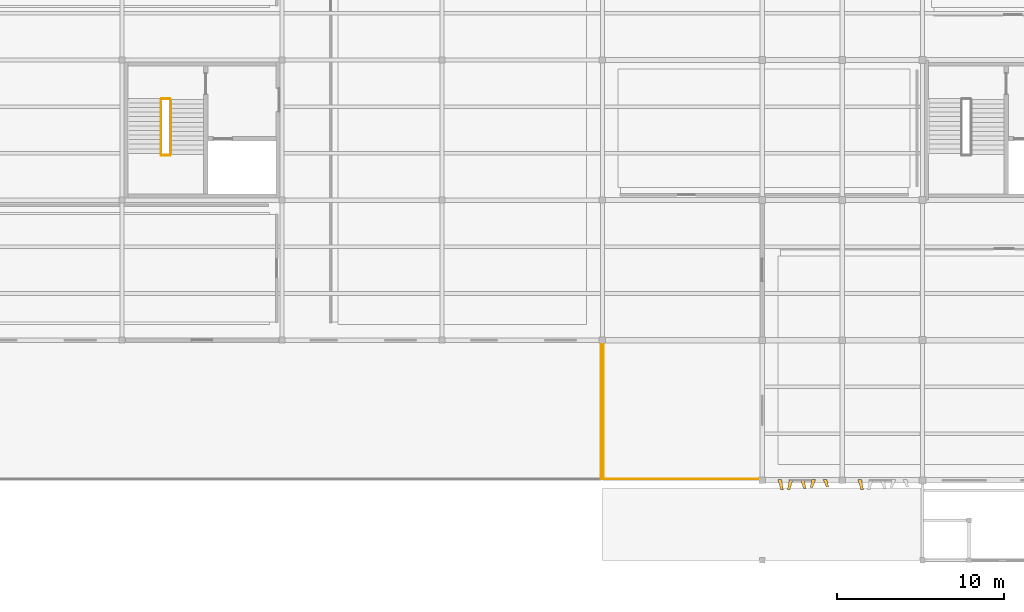
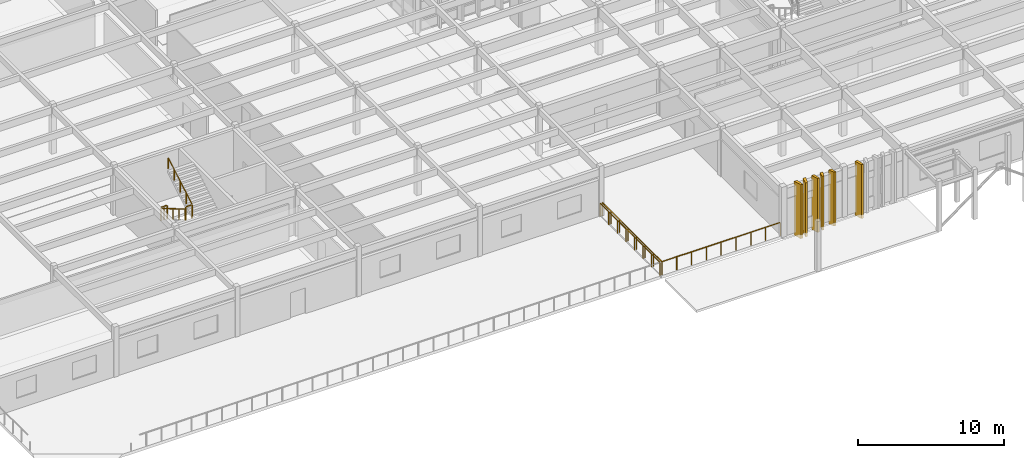
# One storey, part 50 of 61: 7 railings, 6 coverings.
"""IFC4 building model written with IfcOpenShell, lengths in metres."""

from ifc_helpers import new_model, si_unit, direction, frame, origin, origin_2d, place, context, subcontext, project, spatial, polyline, circle, outline, extrude, material, layer, layer_set, type_object, element, save


model = new_model("IFC4")

# Units and contexts
model_context = context("Model", 3, precision=1e-05, world=origin(), true_north=direction((0.0, 1.0)))
body_context = subcontext(model_context, "Body", "Model", "MODEL_VIEW")
ifc_project = project(units=[si_unit("LENGTHUNIT", "METRE"), si_unit("AREAUNIT", "SQUARE_METRE"), si_unit("VOLUMEUNIT", "CUBIC_METRE"), si_unit("PLANEANGLEUNIT", "RADIAN"), si_unit("MASSUNIT", "GRAM", prefix="KILO")], contexts=[model_context])

# Site, building, storey
site_placement = place(None, origin())
site = spatial("IfcSite", under=ifc_project, at=site_placement, CompositionType="ELEMENT")
building_placement = place(site_placement, origin())
building = spatial("IfcBuilding", under=site, at=building_placement, Name="Kolvemor Railside Polytechnic", CompositionType="ELEMENT")
storey_placement = place(building_placement, frame((0.0, 0.0, 10.199951171875)))
storey = spatial("IfcBuildingStorey", under=building, at=storey_placement, Name="L02", CompositionType="ELEMENT", Elevation=10.199951171875)

# Coverings
ifc_material_1 = material(Name="Champagne-bronze PVDF-anodised marine aluminium 5052-H32", Category="aluminium")
ifc_layer_1 = layer(ifc_material_1, 0.179931640625, Name="COV-FIN-CHAMP")
ifc_layer_set_1 = layer_set([ifc_layer_1], Name="Champagne-bronze PVDF-anodised marine aluminium 5052-H32")
covering_type_1 = type_object("IfcCoveringType", Name="COV-FIN-CHAMP", PredefinedType="CLADDING", material=ifc_layer_set_1)
covering_1_placement = place(storey_placement, frame((0.0, 0.0, -0.320068359375)))
element("IfcCovering", 1, at=covering_1_placement, inside=storey, type_object=covering_type_1, Name="Pleated Solar Fin L02-0337", PredefinedType="CLADDING", context=body_context, shape_type="SweptSolid", body=[
    extrude(outline(polyline([(63.324951171875, 4.8349609375), (63.554931640625, 4.8349609375), (63.659912109375, 4.237060546875), (63.5, 4.237060546875), (63.324951171875, 4.8349609375)])), origin(), (0.0, 0.0, 1.0), 4.52001953125),
])
ifc_material_2 = material(Name="Sea-mist PVDF-anodised marine aluminium 5052-H32", Category="aluminium")
ifc_layer_2 = layer(ifc_material_2, 0.159912109375, Name="COV-FIN-MIST")
ifc_layer_set_2 = layer_set([ifc_layer_2], Name="Sea-mist PVDF-anodised marine aluminium 5052-H32")
covering_type_2 = type_object("IfcCoveringType", Name="COV-FIN-MIST", PredefinedType="CLADDING", material=ifc_layer_set_2)
covering_2_placement = place(storey_placement, frame((0.0, 0.0, -0.320068359375)))
element("IfcCovering", 2, at=covering_2_placement, inside=storey, type_object=covering_type_2, Name="Pleated Solar Fin L02-0332", PredefinedType="CLADDING", context=body_context, shape_type="SweptSolid", body=[
    extrude(outline(polyline([(58.52490234375, 4.8349609375), (58.7548828125, 4.8349609375), (58.860107421875, 4.237060546875), (58.699951171875, 4.237060546875), (58.52490234375, 4.8349609375)])), origin(), (0.0, 0.0, 1.0), 4.52001953125),
])
covering_3_placement = place(storey_placement, frame((0.0, 0.0, -0.320068359375)))
element("IfcCovering", 3, at=covering_3_placement, inside=storey, type_object=covering_type_2, Name="Pleated Solar Fin L02-0333", PredefinedType="CLADDING", context=body_context, shape_type="SweptSolid", body=[
    extrude(outline(polyline([(59.205078125, 4.8349609375), (59.43505859375, 4.8349609375), (59.260009765625, 4.2529296875), (59.10009765625, 4.2529296875), (59.205078125, 4.8349609375)])), origin(), (0.0, 0.0, 1.0), 4.52001953125),
])
covering_4_placement = place(storey_placement, frame((0.0, 0.0, -0.320068359375)))
element("IfcCovering", 4, at=covering_4_placement, inside=storey, type_object=covering_type_2, Name="Pleated Solar Fin L02-0334", PredefinedType="CLADDING", context=body_context, shape_type="SweptSolid", body=[
    extrude(outline(polyline([(59.885009765625, 4.8349609375), (60.114990234375, 4.8349609375), (60.219970703125, 4.31494140625), (60.06005859375, 4.31494140625), (59.885009765625, 4.8349609375)])), origin(), (0.0, 0.0, 1.0), 4.52001953125),
])
covering_5_placement = place(storey_placement, frame((0.0, 0.0, -0.320068359375)))
element("IfcCovering", 5, at=covering_5_placement, inside=storey, type_object=covering_type_2, Name="Pleated Solar Fin L02-0335", PredefinedType="CLADDING", context=body_context, shape_type="SweptSolid", body=[
    extrude(outline(polyline([(60.56494140625, 4.8349609375), (60.794921875, 4.8349609375), (60.6201171875, 4.376953125), (60.4599609375, 4.376953125), (60.56494140625, 4.8349609375)])), origin(), (0.0, 0.0, 1.0), 4.52001953125),
])
covering_6_placement = place(storey_placement, frame((0.0, 0.0, -0.320068359375)))
element("IfcCovering", 6, at=covering_6_placement, inside=storey, type_object=covering_type_2, Name="Pleated Solar Fin L02-0336", PredefinedType="CLADDING", context=body_context, shape_type="SweptSolid", body=[
    extrude(outline(polyline([(61.2451171875, 4.8349609375), (61.47509765625, 4.8349609375), (61.580078125, 4.39306640625), (61.419921875, 4.39306640625), (61.2451171875, 4.8349609375)])), origin(), (0.0, 0.0, 1.0), 4.52001953125),
])

# Railings
ifc_material_3 = material(Name="AISI 316 marine stainless-steel balustrade guard", Category="steel")
railing_type_1 = type_object("IfcRailingType", Name="RLG-GUARD-1120", PredefinedType="BALUSTRADE", material=ifc_material_3)
railing_1_placement = place(storey_placement, frame((48.080078125, 4.8798828125, 0.0)))
element("IfcRailing", 7, at=railing_1_placement, inside=storey, type_object=railing_type_1, Name="Corner Study Terrace L02-SW S Guard GR-006", PredefinedType="BALUSTRADE", context=body_context, shape_type="SweptSolid", body=[
    extrude(circle(Radius=0.02392578125, at=origin_2d()), frame((0.054931640625, 0.0, 1.09619140625), z_axis=(1.0, 0.0, 0.0), x_axis=(0.0, 1.0, 0.0)), (0.0, 0.0, 1.0), 9.269775390625),
    extrude(circle(Radius=0.02099609375, at=origin_2d()), origin(), (0.0, 0.0, 1.0), 1.05712890625),
    extrude(circle(Radius=0.02099609375, at=origin_2d()), frame((1.17236328125, 0.0, 0.0)), (0.0, 0.0, 1.0), 1.05712890625),
    extrude(circle(Radius=0.02099609375, at=origin_2d()), frame((2.344970703125, 0.0, 0.0)), (0.0, 0.0, 1.0), 1.05712890625),
    extrude(circle(Radius=0.02099609375, at=origin_2d()), frame((3.517578125, 0.0, 0.0)), (0.0, 0.0, 1.0), 1.05712890625),
    extrude(circle(Radius=0.02099609375, at=origin_2d()), frame((4.68994140625, 0.0, 0.0)), (0.0, 0.0, 1.0), 1.05712890625),
    extrude(circle(Radius=0.02099609375, at=origin_2d()), frame((5.8623046875, 0.0, 0.0)), (0.0, 0.0, 1.0), 1.05712890625),
    extrude(circle(Radius=0.02099609375, at=origin_2d()), frame((7.034912109375, 0.0, 0.0)), (0.0, 0.0, 1.0), 1.05712890625),
    extrude(circle(Radius=0.02099609375, at=origin_2d()), frame((8.20751953125, 0.0, 0.0)), (0.0, 0.0, 1.0), 1.05712890625),
    extrude(circle(Radius=0.02099609375, at=origin_2d()), frame((9.3798828125, 0.0, 0.0)), (0.0, 0.0, 1.0), 1.05712890625),
])
railing_2_placement = place(storey_placement, frame((48.080078125, 13.06005859375, 0.0)))
element("IfcRailing", 8, at=railing_2_placement, inside=storey, type_object=railing_type_1, Name="Corner Study Terrace L02-SW W Guard GR-007", PredefinedType="BALUSTRADE", context=body_context, shape_type="SweptSolid", body=[
    extrude(circle(Radius=0.02392578125, at=origin_2d()), frame((0.0, -0.054931640625, 1.09619140625), z_axis=(0.0, -1.0, 0.0), x_axis=(1.0, 0.0, 0.0)), (0.0, 0.0, 1.0), 8.070068359375),
    extrude(circle(Radius=0.02099609375, at=origin_2d()), origin(), (0.0, 0.0, 1.0), 1.05712890625),
    extrude(circle(Radius=0.02099609375, at=origin_2d()), frame((0.0, -1.168701171875, 0.0)), (0.0, 0.0, 1.0), 1.05712890625),
    extrude(circle(Radius=0.02099609375, at=origin_2d()), frame((0.0, -2.337158203125, 0.0)), (0.0, 0.0, 1.0), 1.05712890625),
    extrude(circle(Radius=0.02099609375, at=origin_2d()), frame((0.0, -3.505859375, 0.0)), (0.0, 0.0, 1.0), 1.05712890625),
    extrude(circle(Radius=0.02099609375, at=origin_2d()), frame((0.0, -4.67431640625, 0.0)), (0.0, 0.0, 1.0), 1.05712890625),
    extrude(circle(Radius=0.02099609375, at=origin_2d()), frame((0.0, -5.843017578125, 0.0)), (0.0, 0.0, 1.0), 1.05712890625),
    extrude(circle(Radius=0.02099609375, at=origin_2d()), frame((0.0, -7.011474609375, 0.0)), (0.0, 0.0, 1.0), 1.05712890625),
    extrude(circle(Radius=0.02099609375, at=origin_2d()), frame((0.0, -8.18017578125, 0.0)), (0.0, 0.0, 1.0), 1.05712890625),
])
railing_3_placement = place(storey_placement, frame((47.919921875, 4.8798828125, 0.0)))
element("IfcRailing", 9, at=railing_3_placement, inside=storey, type_object=railing_type_1, Name="Corner Study Terrace V3-S E Guard GR-055", PredefinedType="BALUSTRADE", context=body_context, shape_type="SweptSolid", body=[
    extrude(circle(Radius=0.02392578125, at=origin_2d()), frame((0.0, 0.054931640625, 1.09619140625), z_axis=(0.0, 1.0, 0.0), x_axis=(-1.0, 0.0, 0.0)), (0.0, 0.0, 1.0), 8.070068359375),
    extrude(circle(Radius=0.02099609375, at=origin_2d()), origin(), (0.0, 0.0, 1.0), 1.05712890625),
    extrude(circle(Radius=0.02099609375, at=origin_2d()), frame((0.0, 1.168701171875, 0.0)), (0.0, 0.0, 1.0), 1.05712890625),
    extrude(circle(Radius=0.02099609375, at=origin_2d()), frame((0.0, 2.337158203125, 0.0)), (0.0, 0.0, 1.0), 1.05712890625),
    extrude(circle(Radius=0.02099609375, at=origin_2d()), frame((0.0, 3.505859375, 0.0)), (0.0, 0.0, 1.0), 1.05712890625),
    extrude(circle(Radius=0.02099609375, at=origin_2d()), frame((0.0, 4.67431640625, 0.0)), (0.0, 0.0, 1.0), 1.05712890625),
    extrude(circle(Radius=0.02099609375, at=origin_2d()), frame((0.0, 5.843017578125, 0.0)), (0.0, 0.0, 1.0), 1.05712890625),
    extrude(circle(Radius=0.02099609375, at=origin_2d()), frame((0.0, 7.011474609375, 0.0)), (0.0, 0.0, 1.0), 1.05712890625),
    extrude(circle(Radius=0.02099609375, at=origin_2d()), frame((0.0, 8.18017578125, 0.0)), (0.0, 0.0, 1.0), 1.05712890625),
])
railing_4_placement = place(storey_placement, frame((21.580078125, 27.679931640625, 0.0)))
element("IfcRailing", 10, at=railing_4_placement, inside=storey, type_object=railing_type_1, Name="ST-4 Floor Slot Guard L02", PredefinedType="BALUSTRADE", context=body_context, shape_type="SweptSolid", body=[
    extrude(circle(Radius=0.02392578125, at=origin_2d()), frame((0.054931640625, 0.0, 1.09619140625), z_axis=(1.0, 0.0, 0.0), x_axis=(0.0, 1.0, 0.0)), (0.0, 0.0, 1.0), 0.389892578125),
    extrude(circle(Radius=0.02099609375, at=origin_2d()), origin(), (0.0, 0.0, 1.0), 1.05712890625),
    extrude(circle(Radius=0.02099609375, at=origin_2d()), frame((0.25, 0.0, 0.0)), (0.0, 0.0, 1.0), 1.05712890625),
    extrude(circle(Radius=0.02099609375, at=origin_2d()), frame((0.5, 0.0, 0.0)), (0.0, 0.0, 1.0), 1.05712890625),
])
railing_5_placement = place(storey_placement, frame((21.580078125, 24.280029296875, 2.10009765625)))
element("IfcRailing", 11, at=railing_5_placement, inside=storey, type_object=railing_type_1, Name="ST-4 Half-Landing Slot Guard L02", PredefinedType="BALUSTRADE", context=body_context, shape_type="SweptSolid", body=[
    extrude(circle(Radius=0.02392578125, at=origin_2d()), frame((0.054931640625, 0.0, 1.09619140625), z_axis=(1.0, 0.0, 0.0), x_axis=(0.0, 1.0, 0.0)), (0.0, 0.0, 1.0), 0.389892578125),
    extrude(circle(Radius=0.02099609375, at=origin_2d()), origin(), (0.0, 0.0, 1.0), 1.05712890625),
    extrude(circle(Radius=0.02099609375, at=origin_2d()), frame((0.5, 0.0, 0.0)), (0.0, 0.0, 1.0), 1.05712890625),
])
ifc_material_4 = material(Name="Brushed AISI 316 stainless-steel stair handrail", Category="steel")
railing_type_2 = type_object("IfcRailingType", Name="RLG-HANDRAIL-920", PredefinedType="HANDRAIL", material=ifc_material_4)
railing_6_placement = place(storey_placement, frame((21.5400390625, 27.6201171875, 0.16162109375)))
element("IfcRailing", 12, at=railing_6_placement, inside=storey, type_object=railing_type_2, Name="ST-4 Flight 1 Handrail L02", PredefinedType="HANDRAIL", context=body_context, shape_type="SweptSolid", body=[
    extrude(circle(Radius=0.02392578125, at=origin_2d()), frame((0.0, -0.04736328125, 0.923828125), z_axis=(0.0, -0.862245621732, 0.506490362991), x_axis=(1.0, 0.0, 0.0)), (0.0, 0.0, 1.0), 3.71728515625),
    extrude(circle(Radius=0.02099609375, at=origin_2d()), origin(), (0.0, 0.0, 1.0), 0.85693359375),
    extrude(circle(Radius=0.02099609375, at=origin_2d()), frame((0.0, -0.824951171875, 0.484619140625)), (0.0, 0.0, 1.0), 0.85693359375),
    extrude(circle(Radius=0.02099609375, at=origin_2d()), frame((0.0, -1.64990234375, 0.96923828125)), (0.0, 0.0, 1.0), 0.85693359375),
    extrude(circle(Radius=0.02099609375, at=origin_2d()), frame((0.0, -2.47509765625, 1.453857421875)), (0.0, 0.0, 1.0), 0.85693359375),
    extrude(circle(Radius=0.02099609375, at=origin_2d()), frame((0.0, -3.300048828125, 1.9384765625)), (0.0, 0.0, 1.0), 0.85693359375),
])
railing_7_placement = place(storey_placement, frame((22.1201171875, 24.320068359375, 2.261474609375)))
element("IfcRailing", 13, at=railing_7_placement, inside=storey, type_object=railing_type_2, Name="ST-4 Flight 2 Handrail L02", PredefinedType="HANDRAIL", context=body_context, shape_type="SweptSolid", body=[
    extrude(circle(Radius=0.02392578125, at=origin_2d()), frame((0.0, 0.04736328125, 0.923828125), z_axis=(0.0, 0.862245621732, 0.506490362991), x_axis=(-1.0, 0.0, 0.0)), (0.0, 0.0, 1.0), 3.71728515625),
    extrude(circle(Radius=0.02099609375, at=origin_2d()), origin(), (0.0, 0.0, 1.0), 0.85693359375),
    extrude(circle(Radius=0.02099609375, at=origin_2d()), frame((0.0, 0.824951171875, 0.484619140625)), (0.0, 0.0, 1.0), 0.85693359375),
    extrude(circle(Radius=0.02099609375, at=origin_2d()), frame((0.0, 1.64990234375, 0.96923828125)), (0.0, 0.0, 1.0), 0.85693359375),
    extrude(circle(Radius=0.02099609375, at=origin_2d()), frame((0.0, 2.47509765625, 1.453857421875)), (0.0, 0.0, 1.0), 0.85693359375),
    extrude(circle(Radius=0.02099609375, at=origin_2d()), frame((0.0, 3.300048828125, 1.9384765625)), (0.0, 0.0, 1.0), 0.85693359375),
])

save(model, "model.ifc")
